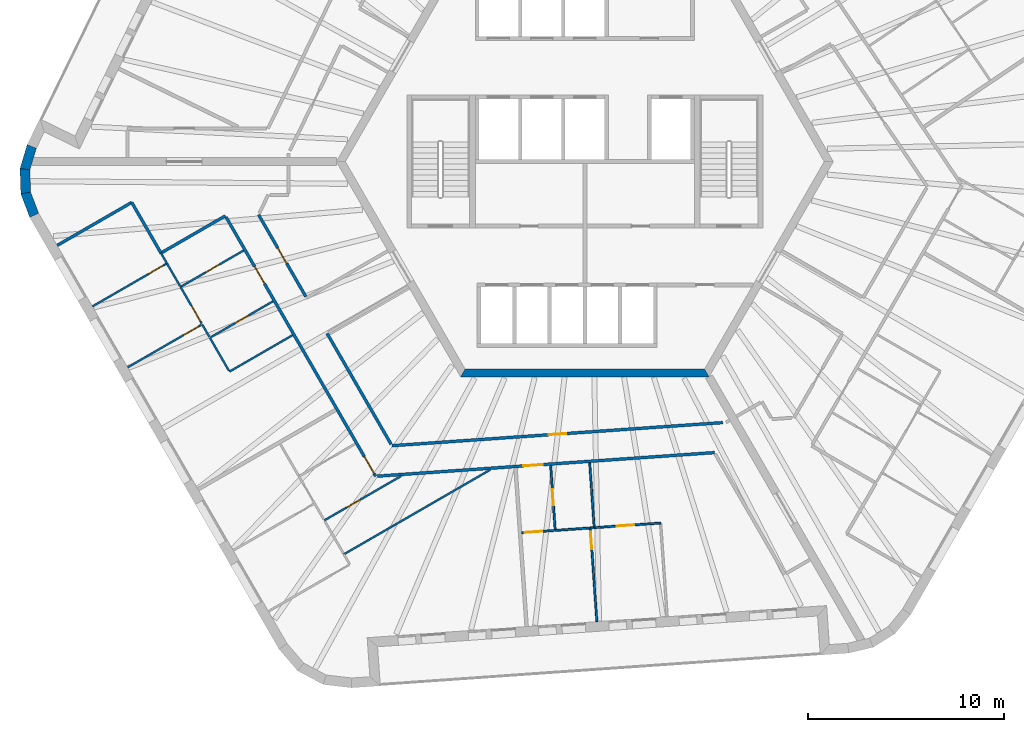
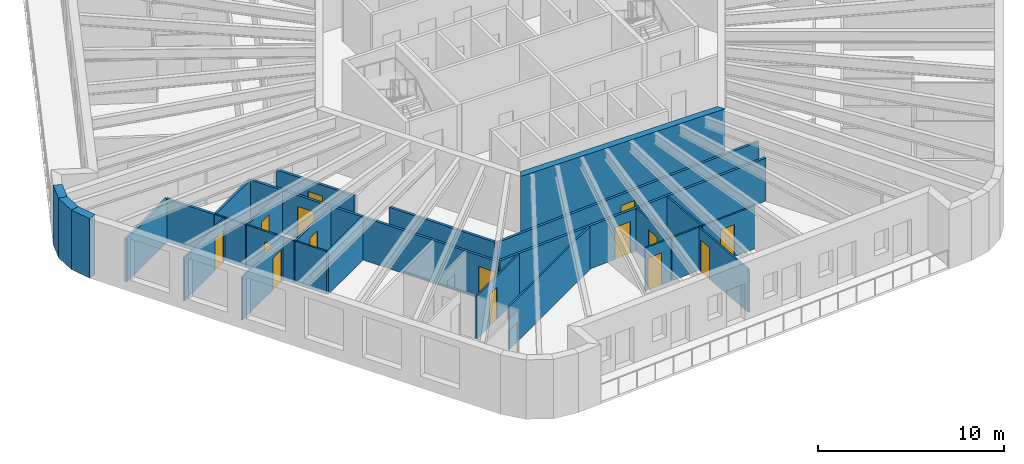
# One storey, part 4 of 12: 31 walls, 15 doors, 15 openings.
"""IFC4 building model written with IfcOpenShell, lengths in metres."""

from ifc_helpers import new_model, si_unit, direction, frame, frame_2d, origin, place, context, subcontext, project, spatial, polyline, rectangle, outline, extrude, material, layer, layer_set, type_object, element, fill, save


model = new_model("IFC4")

# Units and contexts
model_context = context("Model", 3, precision=1e-05, world=origin(), true_north=direction((0.0, 1.0)))
body_context = subcontext(model_context, "Body", "Model", "MODEL_VIEW")
ifc_project = project(units=[si_unit("LENGTHUNIT", "METRE"), si_unit("AREAUNIT", "SQUARE_METRE"), si_unit("VOLUMEUNIT", "CUBIC_METRE"), si_unit("PLANEANGLEUNIT", "RADIAN"), si_unit("MASSUNIT", "GRAM", prefix="KILO")], contexts=[model_context])

# Site, building, storey
site_placement = place(None, origin())
site = spatial("IfcSite", under=ifc_project, at=site_placement, CompositionType="ELEMENT")
building_placement = place(site_placement, origin())
building = spatial("IfcBuilding", under=site, at=building_placement, Name="Tarnside Tower", CompositionType="ELEMENT")
storey_placement = place(building_placement, frame((0.0, 0.0, 260.10009765625)))
storey = spatial("IfcBuildingStorey", under=building, at=storey_placement, Name="L62", CompositionType="ELEMENT", Elevation=260.10009765625)

# Walls
ifc_material_1 = material(Name="Gypsum board partition on steel studs", Category="steel")
ifc_layer_1 = layer(ifc_material_1, 0.10009765625)
ifc_layer_set_1 = layer_set([ifc_layer_1], Name="Bathroom wall 100")
wall_type_1 = type_object("IfcWallType", Name="Bathroom wall 100", PredefinedType="PARTITIONING", material=ifc_layer_set_1)
wall_1_placement = place(storey_placement, frame((-14.940185546875, -8.872802734375, 0.0), z_axis=(0.0, 0.0, 1.0), x_axis=(-0.866056803351, -0.499945610411, 0.0)))
element("IfcWall", 1, at=wall_1_placement, inside=storey, type_object=wall_type_1, Name="Bathroom wall 20109", PredefinedType="PARTITIONING", context=body_context, shape_type="SweptSolid", body=[
    extrude(rectangle(XDim=3.72509765625, YDim=0.10009765625, at=frame_2d((1.862548828125, 0.0))), origin(), (0.0, 0.0, 1.0), 2.8232421875),
])
wall_2_placement = place(storey_placement, frame((-18.191162109375, -10.69189453125, 0.0), z_axis=(0.0, 0.0, 1.0), x_axis=(-0.500043961785, 0.866000020948, 0.0)))
element("IfcWall", 2, at=wall_2_placement, inside=storey, type_object=wall_type_1, Name="Bathroom wall 20110", PredefinedType="PARTITIONING", context=body_context, shape_type="SweptSolid", body=[
    extrude(rectangle(XDim=1.949951171875, YDim=0.10009765625, at=frame_2d((0.97509765625, 0.0))), origin(), (0.0, 0.0, 1.0), 2.8232421875),
])

# Wall, opening, door
wall_3_placement = place(storey_placement, frame((-17.440185546875, -4.54248046875, 0.0), z_axis=(0.0, 0.0, 1.0), x_axis=(-0.866028424924, -0.499994767197, 0.0)))
wall_3 = element("IfcWall", 3, at=wall_3_placement, inside=storey, type_object=wall_type_1, Name="Bathroom wall 20113", PredefinedType="PARTITIONING", context=body_context, shape_type="SweptSolid", body=[
    extrude(rectangle(XDim=3.72509765625, YDim=0.10009765625, at=frame_2d((1.862548828125, 0.0))), origin(), (0.0, 0.0, 1.0), 2.8232421875),
])
opening_1_placement = place(wall_3_placement, frame((1.425048828125, 0.0, 0.0)))
opening_1 = element("IfcOpeningElement", 4, at=opening_1_placement, cuts=wall_3, Name="Opening D-B1", PredefinedType="OPENING", context=body_context, shape_type="SweptSolid", body=[
    extrude(rectangle(XDim=0.800048828125, YDim=2.10009765625, at=frame_2d((0.39990234375, 1.050048828125))), frame((0.0, 0.06005859375, 0.0), z_axis=(0.0, -1.0, 0.0), x_axis=(1.0, 0.0, 0.0)), (0.0, 0.0, 1.0), 0.1201171875),
])
ifc_material_2 = material(Name="Timber door leaf", Category="wood")
door_type_1 = type_object("IfcDoorType", Name="Bathroom door 800", OperationType="NOTDEFINED", PredefinedType="DOOR", material=ifc_material_2)
door_1_placement = place(opening_1_placement, origin())
door_1 = element("IfcDoor", 5, at=door_1_placement, inside=storey, type_object=door_type_1, Name="Bathroom door 20022", OperationType="SINGLE_SWING_RIGHT", OverallHeight=2.10009765625, OverallWidth=0.800048828125, PredefinedType="DOOR", context=body_context, shape_type="SweptSolid", body=[
    extrude(rectangle(XDim=0.800048828125, YDim=2.10009765625, at=frame_2d((0.39990234375, 1.050048828125))), frame((0.0, 0.02490234375, 0.0), z_axis=(0.0, -1.0, 0.0), x_axis=(1.0, 0.0, 0.0)), (0.0, 0.0, 1.0), 0.050048828125),
])
fill(opening_1, door_1)

wall_4_placement = place(storey_placement, frame((-19.122802734375, -8.978271484375, 0.0), z_axis=(0.0, 0.0, 1.0), x_axis=(0.866006363297, 0.500032977642, 0.0)))
wall_4 = element("IfcWall", 6, at=wall_4_placement, inside=storey, type_object=wall_type_1, Name="Bathroom wall 20115", PredefinedType="PARTITIONING", context=body_context, shape_type="SweptSolid", body=[
    extrude(rectangle(XDim=3.675048828125, YDim=0.10009765625, at=frame_2d((1.83740234375, 0.0))), origin(), (0.0, 0.0, 1.0), 2.8232421875),
])
opening_2_placement = place(wall_4_placement, frame((1.449951171875, 0.0, 0.0)))
opening_2 = element("IfcOpeningElement", 7, at=opening_2_placement, cuts=wall_4, Name="Opening D-B1", PredefinedType="OPENING", context=body_context, shape_type="SweptSolid", body=[
    extrude(rectangle(XDim=0.800048828125, YDim=2.10009765625, at=frame_2d((0.39990234375, 1.050048828125))), frame((0.0, 0.06005859375, 0.0), z_axis=(0.0, -1.0, 0.0), x_axis=(1.0, 0.0, 0.0)), (0.0, 0.0, 1.0), 0.1201171875),
])
door_2_placement = place(opening_2_placement, origin())
door_2 = element("IfcDoor", 8, at=door_2_placement, inside=storey, type_object=door_type_1, Name="Bathroom door 20031", OperationType="SINGLE_SWING_LEFT", OverallHeight=2.10009765625, OverallWidth=0.800048828125, PredefinedType="DOOR", context=body_context, shape_type="SweptSolid", body=[
    extrude(rectangle(XDim=0.800048828125, YDim=2.10009765625, at=frame_2d((0.39990234375, 1.050048828125))), frame((0.0, 0.02490234375, 0.0), z_axis=(0.0, -1.0, 0.0), x_axis=(1.0, 0.0, 0.0)), (0.0, 0.0, 1.0), 0.050048828125),
])
fill(opening_2, door_2)

# Walls
wall_5_placement = place(storey_placement, frame((-21.667236328125, -4.67138671875, 0.0), z_axis=(0.0, 0.0, 1.0), x_axis=(0.499952348839, -0.866052913447, 0.0)))
element("IfcWall", 9, at=wall_5_placement, inside=storey, type_object=wall_type_1, Name="Bathroom wall 20116", PredefinedType="PARTITIONING", context=body_context, shape_type="SweptSolid", body=[
    extrude(rectangle(XDim=0.61279296875, YDim=0.10009765625, at=frame_2d((0.306396484375, 0.0))), origin(), (0.0, 0.0, 1.0), 2.8232421875),
])
wall_6_placement = place(storey_placement, frame((-21.36083984375, -5.2021484375, 0.0), z_axis=(0.0, 0.0, 1.0), x_axis=(0.500074377092, -0.865982457891, 0.0)))
element("IfcWall", 10, at=wall_6_placement, inside=storey, type_object=wall_type_1, Name="Bathroom wall 20117", PredefinedType="PARTITIONING", context=body_context, shape_type="SweptSolid", body=[
    extrude(rectangle(XDim=1.341064453125, YDim=0.10009765625, at=frame_2d((0.67041015625, 0.0))), origin(), (0.0, 0.0, 1.0), 2.8232421875),
])
wall_7_placement = place(storey_placement, frame((-4.830810546875, -15.750244140625, 0.0), z_axis=(0.0, 0.0, 1.0), x_axis=(-0.866012441049, -0.500022451445, 0.0)))
element("IfcWall", 11, at=wall_7_placement, inside=storey, type_object=wall_type_1, Name="Bathroom wall 20121", PredefinedType="PARTITIONING", context=body_context, shape_type="SweptSolid", body=[
    extrude(rectangle(XDim=8.64111328125, YDim=0.10009765625, at=frame_2d((4.320556640625, 0.0))), origin(), (0.0, 0.0, 1.0), 2.8232421875),
])

# Wall, opening, door
wall_8_placement = place(storey_placement, frame((-13.314208984375, -18.3388671875, 0.0), z_axis=(0.0, 0.0, 1.0), x_axis=(0.866020827114, 0.500007926942, 0.0)))
wall_8 = element("IfcWall", 12, at=wall_8_placement, inside=storey, type_object=wall_type_1, Name="Bathroom wall 20127", PredefinedType="PARTITIONING", context=body_context, shape_type="SweptSolid", body=[
    extrude(rectangle(XDim=4.54052734375, YDim=0.10009765625, at=frame_2d((2.270263671875, 0.0))), origin(), (0.0, 0.0, 1.0), 2.8232421875),
])
opening_3_placement = place(wall_8_placement, frame((1.300048828125, 0.0, 0.0)))
opening_3 = element("IfcOpeningElement", 13, at=opening_3_placement, cuts=wall_8, Name="Opening D-B1", PredefinedType="OPENING", context=body_context, shape_type="SweptSolid", body=[
    extrude(rectangle(XDim=0.800048828125, YDim=2.10009765625, at=frame_2d((0.39990234375, 1.050048828125))), frame((0.0, 0.06005859375, 0.0), z_axis=(0.0, -1.0, 0.0), x_axis=(1.0, 0.0, 0.0)), (0.0, 0.0, 1.0), 0.1201171875),
])
door_3_placement = place(opening_3_placement, origin())
door_3 = element("IfcDoor", 14, at=door_3_placement, inside=storey, type_object=door_type_1, Name="Bathroom door 20041", OperationType="SINGLE_SWING_RIGHT", OverallHeight=2.10009765625, OverallWidth=0.800048828125, PredefinedType="DOOR", context=body_context, shape_type="SweptSolid", body=[
    extrude(rectangle(XDim=0.800048828125, YDim=2.10009765625, at=frame_2d((0.39990234375, 1.050048828125))), frame((0.0, 0.02490234375, 0.0), z_axis=(0.0, -1.0, 0.0), x_axis=(1.0, 0.0, 0.0)), (0.0, 0.0, 1.0), 0.050048828125),
])
fill(opening_3, door_3)

# Wall
wall_9_placement = place(storey_placement, frame((0.249755859375, -15.39501953125, 0.0), z_axis=(0.0, 0.0, 1.0), x_axis=(0.069754598287, -0.997564181403, 0.0)))
element("IfcWall", 15, at=wall_9_placement, inside=storey, type_object=wall_type_1, Name="Bathroom wall 20131", PredefinedType="PARTITIONING", context=body_context, shape_type="SweptSolid", body=[
    extrude(rectangle(XDim=3.324951171875, YDim=0.10009765625, at=frame_2d((1.66259765625, 0.0))), origin(), (0.0, 0.0, 1.0), 2.8232421875),
])

# Wall, opening, door
wall_10_placement = place(storey_placement, frame((-1.513427734375, -18.8515625, 0.0), z_axis=(0.0, 0.0, 1.0), x_axis=(-0.069754598287, 0.997564181403, 0.0)))
wall_10 = element("IfcWall", 16, at=wall_10_placement, inside=storey, type_object=wall_type_1, Name="Bathroom wall 20134", PredefinedType="PARTITIONING", context=body_context, shape_type="SweptSolid", body=[
    extrude(rectangle(XDim=3.324951171875, YDim=0.10009765625, at=frame_2d((1.66259765625, 0.0))), origin(), (0.0, 0.0, 1.0), 2.8232421875),
])
opening_4_placement = place(wall_10_placement, frame((1.300048828125, 0.0, 0.0)))
opening_4 = element("IfcOpeningElement", 17, at=opening_4_placement, cuts=wall_10, Name="Opening D-B1", PredefinedType="OPENING", context=body_context, shape_type="SweptSolid", body=[
    extrude(rectangle(XDim=0.800048828125, YDim=2.10009765625, at=frame_2d((0.39990234375, 1.050048828125))), frame((0.0, 0.06005859375, 0.0), z_axis=(0.0, -1.0, 0.0), x_axis=(1.0, 0.0, 0.0)), (0.0, 0.0, 1.0), 0.1201171875),
])
door_4_placement = place(opening_4_placement, origin())
door_4 = element("IfcDoor", 18, at=door_4_placement, inside=storey, type_object=door_type_1, Name="Bathroom door 20043", OperationType="SINGLE_SWING_LEFT", OverallHeight=2.10009765625, OverallWidth=0.800048828125, PredefinedType="DOOR", context=body_context, shape_type="SweptSolid", body=[
    extrude(rectangle(XDim=0.800048828125, YDim=2.10009765625, at=frame_2d((0.39990234375, 1.050048828125))), frame((0.0, 0.02490234375, 0.0), z_axis=(0.0, -1.0, 0.0), x_axis=(1.0, 0.0, 0.0)), (0.0, 0.0, 1.0), 0.050048828125),
])
fill(opening_4, door_4)

# Walls
wall_11_placement = place(storey_placement, frame((-1.515380859375, -18.8515625, 0.0), z_axis=(0.0, 0.0, 1.0), x_axis=(0.997562835018, 0.069773850337, 0.0)))
element("IfcWall", 19, at=wall_11_placement, inside=storey, type_object=wall_type_1, Name="Bathroom wall 20136", PredefinedType="PARTITIONING", context=body_context, shape_type="SweptSolid", body=[
    extrude(rectangle(XDim=1.802001953125, YDim=0.10009765625, at=frame_2d((0.90087890625, 0.0))), origin(), (0.0, 0.0, 1.0), 2.8232421875),
])
wall_12_placement = place(storey_placement, frame((0.2822265625, -18.725830078125, 0.0), z_axis=(0.0, 0.0, 1.0), x_axis=(0.997611278984, 0.069077753617, 0.0)))
element("IfcWall", 20, at=wall_12_placement, inside=storey, type_object=wall_type_1, Name="Bathroom wall 20137", PredefinedType="PARTITIONING", context=body_context, shape_type="SweptSolid", body=[
    extrude(rectangle(XDim=0.15185546875, YDim=0.10009765625, at=frame_2d((0.075927734375, 0.0))), origin(), (0.0, 0.0, 1.0), 2.8232421875),
])
ifc_material_3 = material(Name="Concrete C60/75", Category="concrete")
ifc_layer_2 = layer(ifc_material_3, 0.39990234375)
ifc_layer_set_2 = layer_set([ifc_layer_2], Name="Core wall Z3 400 C60/75")
wall_type_2 = type_object("IfcWallType", Name="Core wall Z3 400 C60/75", PredefinedType="SHEAR", material=ifc_layer_set_2)
wall_13_placement = place(storey_placement, frame((-6.2353515625, -10.800048828125, -0.150146484375), z_axis=(0.0, 0.0, 1.0), x_axis=(1.0, 0.0, 0.0)))
element("IfcWall", 21, at=wall_13_placement, inside=storey, type_object=wall_type_2, Name="L62 core wall face 4", PredefinedType="SHEAR", context=body_context, shape_type="SweptSolid", body=[
    extrude(outline(polyline([(-0.115478515625, -0.199951171875), (12.586181640625, -0.199951171875), (12.355224609375, 0.199951171875), (0.115478515625, 0.199951171875), (-0.115478515625, -0.199951171875)])), origin(), (0.0, 0.0, 1.0), 3.900146484375),
])

# Wall, openings, doors
ifc_layer_3 = layer(ifc_material_1, 0.14990234375)
ifc_layer_set_3 = layer_set([ifc_layer_3], Name="Corridor wall 150 EI 60")
wall_type_3 = type_object("IfcWallType", Name="Corridor wall 150 EI 60", PredefinedType="PARTITIONING", material=ifc_layer_set_3)
wall_14_placement = place(storey_placement, frame((-18.337890625, -2.837890625, 0.0), z_axis=(0.0, 0.0, 1.0), x_axis=(0.499999693481, -0.866025580753, 0.0)))
wall_14 = element("IfcWall", 22, at=wall_14_placement, inside=storey, type_object=wall_type_3, Name="Corridor wall 20026", PredefinedType="PARTITIONING", context=body_context, shape_type="SweptSolid", body=[
    extrude(rectangle(XDim=15.29638671875, YDim=0.14990234375, at=frame_2d((7.648193359375, 0.0))), origin(), (0.0, 0.0, 1.0), 2.8232421875),
])
opening_5_placement = place(wall_14_placement, frame((2.925048828125, 0.0, 0.0)))
opening_5 = element("IfcOpeningElement", 23, at=opening_5_placement, cuts=wall_14, Name="Opening D-E1", PredefinedType="OPENING", context=body_context, shape_type="SweptSolid", body=[
    extrude(rectangle(XDim=1.0, YDim=2.10009765625, at=frame_2d((0.5, 1.050048828125))), frame((0.0, 0.0849609375, 0.0), z_axis=(0.0, -1.0, 0.0), x_axis=(1.0, 0.0, 0.0)), (0.0, 0.0, 1.0), 0.169921875),
])
opening_6_placement = place(wall_14_placement, frame((14.135986328125, 0.0, 0.0)))
opening_6 = element("IfcOpeningElement", 24, at=opening_6_placement, cuts=wall_14, Name="Opening D-E1", PredefinedType="OPENING", context=body_context, shape_type="SweptSolid", body=[
    extrude(rectangle(XDim=1.0, YDim=2.10009765625, at=frame_2d((0.5, 1.050048828125))), frame((0.0, 0.0849609375, 0.0), z_axis=(0.0, -1.0, 0.0), x_axis=(1.0, 0.0, 0.0)), (0.0, 0.0, 1.0), 0.169921875),
])
door_type_2 = type_object("IfcDoorType", Name="Unit entrance door 1000 FD30S", OperationType="NOTDEFINED", PredefinedType="DOOR", material=ifc_material_2)
door_5_placement = place(opening_5_placement, origin())
door_5 = element("IfcDoor", 25, at=door_5_placement, inside=storey, type_object=door_type_2, Name="Unit door 20021", OperationType="SINGLE_SWING_RIGHT", OverallHeight=2.10009765625, OverallWidth=1.0, PredefinedType="DOOR", context=body_context, shape_type="SweptSolid", body=[
    extrude(rectangle(XDim=1.0, YDim=2.10009765625, at=frame_2d((0.5, 1.050048828125))), frame((0.0, 0.02490234375, 0.0), z_axis=(0.0, -1.0, 0.0), x_axis=(1.0, 0.0, 0.0)), (0.0, 0.0, 1.0), 0.050048828125),
])
fill(opening_5, door_5)
door_6_placement = place(opening_6_placement, origin())
door_6 = element("IfcDoor", 26, at=door_6_placement, inside=storey, type_object=door_type_2, Name="Unit door 20032", OperationType="SINGLE_SWING_LEFT", OverallHeight=2.10009765625, OverallWidth=1.0, PredefinedType="DOOR", context=body_context, shape_type="SweptSolid", body=[
    extrude(rectangle(XDim=1.0, YDim=2.10009765625, at=frame_2d((0.5, 1.050048828125))), frame((0.0, 0.02490234375, 0.0), z_axis=(0.0, -1.0, 0.0), x_axis=(1.0, 0.0, 0.0)), (0.0, 0.0, 1.0), 0.050048828125),
])
fill(opening_6, door_6)

# Walls
wall_15_placement = place(storey_placement, frame((-21.666259765625, -4.673095703125, 0.0), z_axis=(0.0, 0.0, 1.0), x_axis=(0.86601654697, 0.500015340139, 0.0)))
element("IfcWall", 27, at=wall_15_placement, inside=storey, type_object=wall_type_3, Name="Corridor wall 20028", PredefinedType="PARTITIONING", context=body_context, shape_type="SweptSolid", body=[
    extrude(rectangle(XDim=3.80029296875, YDim=0.14990234375, at=frame_2d((1.900146484375, 0.0))), origin(), (0.0, 0.0, 1.0), 2.8232421875),
])
wall_16_placement = place(storey_placement, frame((-26.97119140625, -4.284423828125, 0.0), z_axis=(0.0, 0.0, 1.0), x_axis=(0.866010893236, 0.500025132165, 0.0)))
element("IfcWall", 28, at=wall_16_placement, inside=storey, type_object=wall_type_3, Name="Corridor wall 20030", PredefinedType="PARTITIONING", context=body_context, shape_type="SweptSolid", body=[
    extrude(rectangle(XDim=4.398681640625, YDim=0.14990234375, at=frame_2d((2.19921875, 0.0))), origin(), (0.0, 0.0, 1.0), 2.8232421875),
])
wall_17_placement = place(storey_placement, frame((-23.16015625, -2.08544921875, 0.0), z_axis=(0.0, 0.0, 1.0), x_axis=(0.499983857782, -0.866034723298, 0.0)))
element("IfcWall", 29, at=wall_17_placement, inside=storey, type_object=wall_type_3, Name="Corridor wall 20031", PredefinedType="PARTITIONING", context=body_context, shape_type="SweptSolid", body=[
    extrude(rectangle(XDim=2.9912109375, YDim=0.14990234375, at=frame_2d((1.49560546875, 0.0))), origin(), (0.0, 0.0, 1.0), 2.8232421875),
])

# Wall, opening, door
wall_18_placement = place(storey_placement, frame((-10.6064453125, -16.0791015625, 0.0), z_axis=(0.0, 0.0, 1.0), x_axis=(0.997563356349, 0.069766396426, 0.0)))
wall_18 = element("IfcWall", 30, at=wall_18_placement, inside=storey, type_object=wall_type_3, Name="Corridor wall 20033", PredefinedType="PARTITIONING", context=body_context, shape_type="SweptSolid", body=[
    extrude(rectangle(XDim=17.27294921875, YDim=0.14990234375, at=frame_2d((8.636474609375, 0.0))), origin(), (0.0, 0.0, 1.0), 2.8232421875),
])
opening_7_placement = place(wall_18_placement, frame((7.4775390625, 0.0, 0.0)))
opening_7 = element("IfcOpeningElement", 31, at=opening_7_placement, cuts=wall_18, Name="Opening D-E1", PredefinedType="OPENING", context=body_context, shape_type="SweptSolid", body=[
    extrude(rectangle(XDim=1.0, YDim=2.10009765625, at=frame_2d((0.5, 1.050048828125))), frame((0.0, 0.0849609375, 0.0), z_axis=(0.0, -1.0, 0.0), x_axis=(1.0, 0.0, 0.0)), (0.0, 0.0, 1.0), 0.169921875),
])
door_7_placement = place(opening_7_placement, origin())
door_7 = element("IfcDoor", 32, at=door_7_placement, inside=storey, type_object=door_type_2, Name="Unit door 20042", OperationType="SINGLE_SWING_RIGHT", OverallHeight=2.10009765625, OverallWidth=1.0, PredefinedType="DOOR", context=body_context, shape_type="SweptSolid", body=[
    extrude(rectangle(XDim=1.0, YDim=2.10009765625, at=frame_2d((0.5, 1.050048828125))), frame((0.0, 0.02490234375, 0.0), z_axis=(0.0, -1.0, 0.0), x_axis=(1.0, 0.0, 0.0)), (0.0, 0.0, 1.0), 0.050048828125),
])
fill(opening_7, door_7)

wall_19_placement = place(storey_placement, frame((-14.26025390625, -6.900634765625, 0.0), z_axis=(0.0, 0.0, 1.0), x_axis=(-0.499978899972, 0.866037585549, 0.0)))
wall_19 = element("IfcWall", 33, at=wall_19_placement, inside=storey, type_object=wall_type_3, Name="Corridor wall 20044", PredefinedType="PARTITIONING", context=body_context, shape_type="SweptSolid", body=[
    extrude(rectangle(XDim=4.834716796875, YDim=0.14990234375, at=frame_2d((2.41748046875, 0.0))), origin(), (0.0, 0.0, 1.0), 2.8232421875),
])
opening_8_placement = place(wall_19_placement, frame((1.96728515625, 0.0, 0.0)))
opening_8 = element("IfcOpeningElement", 34, at=opening_8_placement, cuts=wall_19, Name="Opening D-S1", PredefinedType="OPENING", context=body_context, shape_type="SweptSolid", body=[
    extrude(rectangle(XDim=0.89990234375, YDim=2.10009765625, at=frame_2d((0.449951171875, 1.050048828125))), frame((0.0, 0.0849609375, 0.0), z_axis=(0.0, -1.0, 0.0), x_axis=(1.0, 0.0, 0.0)), (0.0, 0.0, 1.0), 0.169921875),
])
door_type_3 = type_object("IfcDoorType", Name="Service room door 900 FD30S", OperationType="NOTDEFINED", PredefinedType="DOOR", material=ifc_material_2)
door_8_placement = place(opening_8_placement, origin())
door_8 = element("IfcDoor", 35, at=door_8_placement, inside=storey, type_object=door_type_3, Name="Service door 20073", OperationType="SINGLE_SWING_RIGHT", OverallHeight=2.10009765625, OverallWidth=0.89990234375, PredefinedType="DOOR", context=body_context, shape_type="SweptSolid", body=[
    extrude(rectangle(XDim=0.89990234375, YDim=2.10009765625, at=frame_2d((0.449951171875, 1.050048828125))), frame((0.0, 0.02490234375, 0.0), z_axis=(0.0, -1.0, 0.0), x_axis=(1.0, 0.0, 0.0)), (0.0, 0.0, 1.0), 0.050048828125),
])
fill(opening_8, door_8)

wall_20_placement = place(storey_placement, frame((7.05126953125, -13.340576171875, 0.0), z_axis=(0.0, 0.0, 1.0), x_axis=(-0.997563599815, -0.069762915103, 0.0)))
wall_20 = element("IfcWall", 36, at=wall_20_placement, inside=storey, type_object=wall_type_3, Name="Corridor wall 20049", PredefinedType="PARTITIONING", context=body_context, shape_type="SweptSolid", body=[
    extrude(rectangle(XDim=16.951904296875, YDim=0.14990234375, at=frame_2d((8.47607421875, 0.0))), origin(), (0.0, 0.0, 1.0), 2.8232421875),
])
opening_9_placement = place(wall_20_placement, frame((8.02587890625, 0.0, 0.0)))
opening_9 = element("IfcOpeningElement", 37, at=opening_9_placement, cuts=wall_20, Name="Opening D-S1", PredefinedType="OPENING", context=body_context, shape_type="SweptSolid", body=[
    extrude(rectangle(XDim=0.89990234375, YDim=2.10009765625, at=frame_2d((0.449951171875, 1.050048828125))), frame((0.0, 0.0849609375, 0.0), z_axis=(0.0, -1.0, 0.0), x_axis=(1.0, 0.0, 0.0)), (0.0, 0.0, 1.0), 0.169921875),
])
door_9_placement = place(opening_9_placement, origin())
door_9 = element("IfcDoor", 38, at=door_9_placement, inside=storey, type_object=door_type_3, Name="Service door 20074", OperationType="SINGLE_SWING_LEFT", OverallHeight=2.10009765625, OverallWidth=0.89990234375, PredefinedType="DOOR", context=body_context, shape_type="SweptSolid", body=[
    extrude(rectangle(XDim=0.89990234375, YDim=2.10009765625, at=frame_2d((0.449951171875, 1.050048828125))), frame((0.0, 0.02490234375, 0.0), z_axis=(0.0, -1.0, 0.0), x_axis=(1.0, 0.0, 0.0)), (0.0, 0.0, 1.0), 0.050048828125),
])
fill(opening_9, door_9)

# Walls
wall_21_placement = place(storey_placement, frame((-9.901123046875, -14.450927734375, 0.0), z_axis=(0.0, 0.0, 1.0), x_axis=(-0.49999161165, 0.866030246746, 0.0)))
element("IfcWall", 39, at=wall_21_placement, inside=storey, type_object=wall_type_3, Name="Corridor wall 20050", PredefinedType="PARTITIONING", context=body_context, shape_type="SweptSolid", body=[
    extrude(rectangle(XDim=6.54296875, YDim=0.14990234375, at=frame_2d((3.271484375, 0.0))), origin(), (0.0, 0.0, 1.0), 2.8232421875),
])
ifc_layer_4 = layer(ifc_material_1, 0.10009765625)
ifc_layer_set_4 = layer_set([ifc_layer_4], Name="Partition 100")
wall_type_4 = type_object("IfcWallType", Name="Partition 100", PredefinedType="PARTITIONING", material=ifc_layer_set_4)
wall_22_placement = place(storey_placement, frame((-19.191162109375, -8.9599609375, 0.0), z_axis=(0.0, 0.0, 1.0), x_axis=(-0.500036104519, 0.866004557827, 0.0)))
element("IfcWall", 40, at=wall_22_placement, inside=storey, type_object=wall_type_4, Name="Partition wall 20107", PredefinedType="PARTITIONING", context=body_context, shape_type="SweptSolid", body=[
    extrude(rectangle(XDim=0.7412109375, YDim=0.10009765625, at=frame_2d((0.37060546875, 0.0))), origin(), (0.0, 0.0, 1.0), 2.8232421875),
])

# Wall, opening, door
wall_23_placement = place(storey_placement, frame((-19.60400390625, -8.3447265625, 0.0), z_axis=(0.0, 0.0, 1.0), x_axis=(-0.866027639635, -0.499996127374, 0.0)))
wall_23 = element("IfcWall", 41, at=wall_23_placement, inside=storey, type_object=wall_type_4, Name="Partition wall 20108", PredefinedType="PARTITIONING", context=body_context, shape_type="SweptSolid", body=[
    extrude(rectangle(XDim=4.35009765625, YDim=0.10009765625, at=frame_2d((2.175048828125, 0.0))), origin(), (0.0, 0.0, 1.0), 2.8232421875),
])
opening_10_placement = place(wall_23_placement, frame((0.14990234375, 0.0, 0.0)))
opening_10 = element("IfcOpeningElement", 42, at=opening_10_placement, cuts=wall_23, Name="Opening D-I1", PredefinedType="OPENING", context=body_context, shape_type="SweptSolid", body=[
    extrude(rectangle(XDim=0.89990234375, YDim=2.10009765625, at=frame_2d((0.449951171875, 1.050048828125))), frame((0.0, 0.06005859375, 0.0), z_axis=(0.0, -1.0, 0.0), x_axis=(1.0, 0.0, 0.0)), (0.0, 0.0, 1.0), 0.1201171875),
])
door_type_4 = type_object("IfcDoorType", Name="Internal door 900", OperationType="NOTDEFINED", PredefinedType="DOOR", material=ifc_material_2)
door_10_placement = place(opening_10_placement, origin())
door_10 = element("IfcDoor", 43, at=door_10_placement, inside=storey, type_object=door_type_4, Name="Internal door 20030", OperationType="SINGLE_SWING_RIGHT", OverallHeight=2.10009765625, OverallWidth=0.89990234375, PredefinedType="DOOR", context=body_context, shape_type="SweptSolid", body=[
    extrude(rectangle(XDim=0.89990234375, YDim=2.10009765625, at=frame_2d((0.449951171875, 1.050048828125))), frame((0.0, 0.02490234375, 0.0), z_axis=(0.0, -1.0, 0.0), x_axis=(1.0, 0.0, 0.0)), (0.0, 0.0, 1.0), 0.050048828125),
])
fill(opening_10, door_10)

wall_24_placement = place(storey_placement, frame((-20.667236328125, -6.4033203125, 0.0), z_axis=(0.0, 0.0, 1.0), x_axis=(0.499999270699, -0.866025824846, 0.0)))
wall_24 = element("IfcWall", 44, at=wall_24_placement, inside=storey, type_object=wall_type_4, Name="Partition wall 20114", PredefinedType="PARTITIONING", context=body_context, shape_type="SweptSolid", body=[
    extrude(rectangle(XDim=2.1630859375, YDim=0.10009765625, at=frame_2d((1.08154296875, 0.0))), origin(), (0.0, 0.0, 1.0), 2.8232421875),
])
opening_11_placement = place(wall_24_placement, frame((1.113037109375, 0.0, 0.0)))
opening_11 = element("IfcOpeningElement", 45, at=opening_11_placement, cuts=wall_24, Name="Opening D-I1", PredefinedType="OPENING", context=body_context, shape_type="SweptSolid", body=[
    extrude(rectangle(XDim=0.89990234375, YDim=2.10009765625, at=frame_2d((0.449951171875, 1.050048828125))), frame((0.0, 0.06005859375, 0.0), z_axis=(0.0, -1.0, 0.0), x_axis=(1.0, 0.0, 0.0)), (0.0, 0.0, 1.0), 0.1201171875),
])
door_11_placement = place(opening_11_placement, origin())
door_11 = element("IfcDoor", 46, at=door_11_placement, inside=storey, type_object=door_type_4, Name="Internal door 20025", OperationType="SINGLE_SWING_RIGHT", OverallHeight=2.10009765625, OverallWidth=0.89990234375, PredefinedType="DOOR", context=body_context, shape_type="SweptSolid", body=[
    extrude(rectangle(XDim=0.89990234375, YDim=2.10009765625, at=frame_2d((0.449951171875, 1.050048828125))), frame((0.0, 0.02490234375, 0.0), z_axis=(0.0, -1.0, 0.0), x_axis=(1.0, 0.0, 0.0)), (0.0, 0.0, 1.0), 0.050048828125),
])
fill(opening_11, door_11)

wall_25_placement = place(storey_placement, frame((-25.171142578125, -7.402099609375, 0.0), z_axis=(0.0, 0.0, 1.0), x_axis=(0.866013608182, 0.500020430026, 0.0)))
wall_25 = element("IfcWall", 47, at=wall_25_placement, inside=storey, type_object=wall_type_4, Name="Partition wall 20118", PredefinedType="PARTITIONING", context=body_context, shape_type="SweptSolid", body=[
    extrude(rectangle(XDim=4.349853515625, YDim=0.10009765625, at=frame_2d((2.1748046875, 0.0))), origin(), (0.0, 0.0, 1.0), 2.8232421875),
])
opening_12_placement = place(wall_25_placement, frame((3.300048828125, 0.0, 0.0)))
opening_12 = element("IfcOpeningElement", 48, at=opening_12_placement, cuts=wall_25, Name="Opening D-I1", PredefinedType="OPENING", context=body_context, shape_type="SweptSolid", body=[
    extrude(rectangle(XDim=0.89990234375, YDim=2.10009765625, at=frame_2d((0.449951171875, 1.050048828125))), frame((0.0, 0.06005859375, 0.0), z_axis=(0.0, -1.0, 0.0), x_axis=(1.0, 0.0, 0.0)), (0.0, 0.0, 1.0), 0.1201171875),
])
door_12_placement = place(opening_12_placement, origin())
door_12 = element("IfcDoor", 49, at=door_12_placement, inside=storey, type_object=door_type_4, Name="Internal door 20028", OperationType="SINGLE_SWING_RIGHT", OverallHeight=2.10009765625, OverallWidth=0.89990234375, PredefinedType="DOOR", context=body_context, shape_type="SweptSolid", body=[
    extrude(rectangle(XDim=0.89990234375, YDim=2.10009765625, at=frame_2d((0.449951171875, 1.050048828125))), frame((0.0, 0.02490234375, 0.0), z_axis=(0.0, -1.0, 0.0), x_axis=(1.0, 0.0, 0.0)), (0.0, 0.0, 1.0), 0.050048828125),
])
fill(opening_12, door_12)

wall_26_placement = place(storey_placement, frame((0.479736328125, -18.712158203125, 0.0), z_axis=(0.0, 0.0, 1.0), x_axis=(0.997564312984, 0.069752716511, 0.0)))
wall_26 = element("IfcWall", 50, at=wall_26_placement, inside=storey, type_object=wall_type_4, Name="Partition wall 20132", PredefinedType="PARTITIONING", context=body_context, shape_type="SweptSolid", body=[
    extrude(rectangle(XDim=3.402099609375, YDim=0.10009765625, at=frame_2d((1.701171875, 0.0))), origin(), (0.0, 0.0, 1.0), 2.8232421875),
])
opening_13_placement = place(wall_26_placement, frame((1.152099609375, 0.0, 0.0)))
opening_13 = element("IfcOpeningElement", 51, at=opening_13_placement, cuts=wall_26, Name="Opening D-I1", PredefinedType="OPENING", context=body_context, shape_type="SweptSolid", body=[
    extrude(rectangle(XDim=0.89990234375, YDim=2.10009765625, at=frame_2d((0.449951171875, 1.050048828125))), frame((0.0, 0.06005859375, 0.0), z_axis=(0.0, -1.0, 0.0), x_axis=(1.0, 0.0, 0.0)), (0.0, 0.0, 1.0), 0.1201171875),
])
door_13_placement = place(opening_13_placement, origin())
door_13 = element("IfcDoor", 52, at=door_13_placement, inside=storey, type_object=door_type_4, Name="Internal door 20049", OperationType="SINGLE_SWING_RIGHT", OverallHeight=2.10009765625, OverallWidth=0.89990234375, PredefinedType="DOOR", context=body_context, shape_type="SweptSolid", body=[
    extrude(rectangle(XDim=0.89990234375, YDim=2.10009765625, at=frame_2d((0.449951171875, 1.050048828125))), frame((0.0, 0.02490234375, 0.0), z_axis=(0.0, -1.0, 0.0), x_axis=(1.0, 0.0, 0.0)), (0.0, 0.0, 1.0), 0.050048828125),
])
fill(opening_13, door_13)

wall_27_placement = place(storey_placement, frame((-3.21923828125, -18.970703125, 0.0), z_axis=(0.0, 0.0, 1.0), x_axis=(0.9975627517, 0.069775041534, 0.0)))
wall_27 = element("IfcWall", 53, at=wall_27_placement, inside=storey, type_object=wall_type_4, Name="Partition wall 20135", PredefinedType="PARTITIONING", context=body_context, shape_type="SweptSolid", body=[
    extrude(rectangle(XDim=1.662109375, YDim=0.10009765625, at=frame_2d((0.8310546875, 0.0))), origin(), (0.0, 0.0, 1.0), 2.8232421875),
])
opening_14_placement = place(wall_27_placement, frame((0.14990234375, 0.0, 0.0)))
opening_14 = element("IfcOpeningElement", 54, at=opening_14_placement, cuts=wall_27, Name="Opening D-I1", PredefinedType="OPENING", context=body_context, shape_type="SweptSolid", body=[
    extrude(rectangle(XDim=0.89990234375, YDim=2.10009765625, at=frame_2d((0.449951171875, 1.050048828125))), frame((0.0, 0.06005859375, 0.0), z_axis=(0.0, -1.0, 0.0), x_axis=(1.0, 0.0, 0.0)), (0.0, 0.0, 1.0), 0.1201171875),
])
door_14_placement = place(opening_14_placement, origin())
door_14 = element("IfcDoor", 55, at=door_14_placement, inside=storey, type_object=door_type_4, Name="Internal door 20045", OperationType="SINGLE_SWING_LEFT", OverallHeight=2.10009765625, OverallWidth=0.89990234375, PredefinedType="DOOR", context=body_context, shape_type="SweptSolid", body=[
    extrude(rectangle(XDim=0.89990234375, YDim=2.10009765625, at=frame_2d((0.449951171875, 1.050048828125))), frame((0.0, 0.02490234375, 0.0), z_axis=(0.0, -1.0, 0.0), x_axis=(1.0, 0.0, 0.0)), (0.0, 0.0, 1.0), 0.050048828125),
])
fill(opening_14, door_14)

wall_28_placement = place(storey_placement, frame((0.616943359375, -23.51416015625, 0.0), z_axis=(0.0, 0.0, 1.0), x_axis=(-0.069749334994, 0.997564549424, 0.0)))
wall_28 = element("IfcWall", 56, at=wall_28_placement, inside=storey, type_object=wall_type_4, Name="Partition wall 20138", PredefinedType="PARTITIONING", context=body_context, shape_type="SweptSolid", body=[
    extrude(rectangle(XDim=4.749755859375, YDim=0.10009765625, at=frame_2d((2.375, 0.0))), origin(), (0.0, 0.0, 1.0), 2.8232421875),
])
opening_15_placement = place(wall_28_placement, frame((3.699951171875, 0.0, 0.0)))
opening_15 = element("IfcOpeningElement", 57, at=opening_15_placement, cuts=wall_28, Name="Opening D-I1", PredefinedType="OPENING", context=body_context, shape_type="SweptSolid", body=[
    extrude(rectangle(XDim=0.89990234375, YDim=2.10009765625, at=frame_2d((0.449951171875, 1.050048828125))), frame((0.0, 0.06005859375, 0.0), z_axis=(0.0, -1.0, 0.0), x_axis=(1.0, 0.0, 0.0)), (0.0, 0.0, 1.0), 0.1201171875),
])
door_15_placement = place(opening_15_placement, origin())
door_15 = element("IfcDoor", 58, at=door_15_placement, inside=storey, type_object=door_type_4, Name="Internal door 20048", OperationType="SINGLE_SWING_RIGHT", OverallHeight=2.10009765625, OverallWidth=0.89990234375, PredefinedType="DOOR", context=body_context, shape_type="SweptSolid", body=[
    extrude(rectangle(XDim=0.89990234375, YDim=2.10009765625, at=frame_2d((0.449951171875, 1.050048828125))), frame((0.0, 0.02490234375, 0.0), z_axis=(0.0, -1.0, 0.0), x_axis=(1.0, 0.0, 0.0)), (0.0, 0.0, 1.0), 0.050048828125),
])
fill(opening_15, door_15)

# Walls
ifc_material_4 = material(Name="Facing brick", Category="masonry")
ifc_layer_5 = layer(ifc_material_4, 0.10205078125)
ifc_material_5 = material(Name="Concrete C60/75 precast", Category="concrete")
ifc_layer_6 = layer(ifc_material_5, 0.298095703125)
ifc_material_6 = material(Name="Mineral wool insulation")
ifc_layer_7 = layer(ifc_material_6, 0.10009765625)
ifc_layer_set_5 = layer_set([ifc_layer_5, ifc_layer_6, ifc_layer_7], Name="Tube wall 500 brick faced")
wall_type_5 = type_object("IfcWallType", Name="Tube wall 500 brick faced", PredefinedType="SOLIDWALL", material=ifc_layer_set_5)
wall_29_placement = place(storey_placement, frame((-28.271728515625, 0.7744140625, -0.150146484375), z_axis=(0.0, 0.0, 1.0), x_axis=(-0.286813843218, -0.957986335674, 0.0)))
element("IfcWall", 59, at=wall_29_placement, inside=storey, type_object=wall_type_5, Name="Tube wall L62 F2 chord 09", PredefinedType="SOLIDWALL", context=body_context, shape_type="SweptSolid", body=[
    extrude(outline(polyline([(-0.0205078125, -0.25), (1.25732421875, -0.25), (1.17529296875, 0.25), (0.0205078125, 0.25), (-0.0205078125, -0.25)])), origin(), (0.0, 0.0, 1.0), 3.900146484375),
])
wall_30_placement = place(storey_placement, frame((-28.62060546875, -0.390869140625, -0.150146484375), z_axis=(0.0, 0.0, 1.0), x_axis=(0.034925456137, -0.999389920158, 0.0)))
element("IfcWall", 60, at=wall_30_placement, inside=storey, type_object=wall_type_5, Name="Tube wall L62 F2 chord 10", PredefinedType="SOLIDWALL", context=body_context, shape_type="SweptSolid", body=[
    extrude(outline(polyline([(-0.041015625, -0.25), (1.25732421875, -0.25), (1.17529296875, 0.25), (0.041015625, 0.25), (-0.041015625, -0.25)])), origin(), (0.0, 0.0, 1.0), 3.900146484375),
])
wall_31_placement = place(storey_placement, frame((-28.578125, -1.6064453125, -0.150146484375), z_axis=(0.0, 0.0, 1.0), x_axis=(0.352838463023, -0.935684251771, 0.0)))
element("IfcWall", 61, at=wall_31_placement, inside=storey, type_object=wall_type_5, Name="Tube wall L62 F2 chord 11", PredefinedType="SOLIDWALL", context=body_context, shape_type="SweptSolid", body=[
    extrude(outline(polyline([(-0.041015625, -0.25), (1.23681640625, -0.25), (1.19580078125, 0.25), (0.041015625, 0.25), (-0.041015625, -0.25)])), origin(), (0.0, 0.0, 1.0), 3.900146484375),
])

save(model, "model.ifc")
